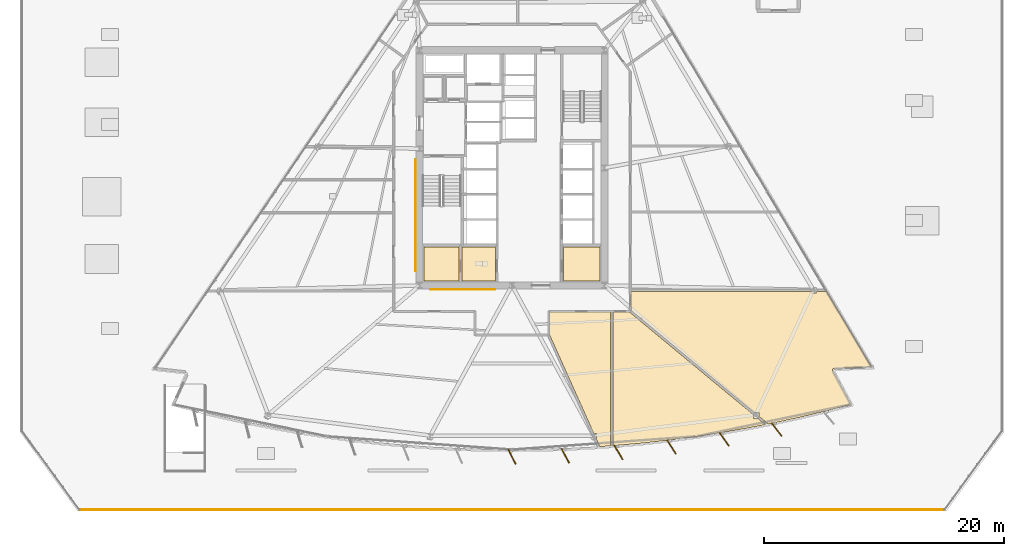
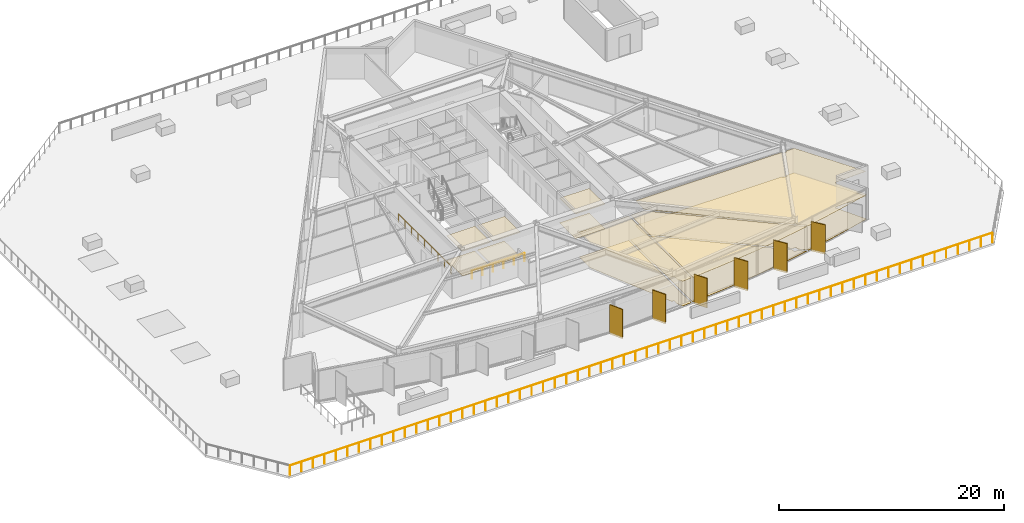
# One storey, part 14 of 19: 12 coverings, 6 shading devices, 3 railings.
"""IFC4 building model written with IfcOpenShell, lengths in metres."""

from ifc_helpers import new_model, si_unit, direction, frame, origin, origin_2d, place, context, subcontext, project, spatial, polyline, rectangle, circle, outline, extrude, material, layer, layer_set, type_object, element, save


model = new_model("IFC4")

# Units and contexts
model_context = context("Model", 3, precision=1e-05, world=origin(), true_north=direction((0.0, 1.0)))
body_context = subcontext(model_context, "Body", "Model", "MODEL_VIEW")
ifc_project = project(units=[si_unit("LENGTHUNIT", "METRE"), si_unit("AREAUNIT", "SQUARE_METRE"), si_unit("VOLUMEUNIT", "CUBIC_METRE"), si_unit("PLANEANGLEUNIT", "RADIAN"), si_unit("MASSUNIT", "GRAM", prefix="KILO")], contexts=[model_context])

# Site, building, storey
site_placement = place(None, origin())
site = spatial("IfcSite", under=ifc_project, at=site_placement, CompositionType="ELEMENT")
building_placement = place(site_placement, origin())
building = spatial("IfcBuilding", under=site, at=building_placement, Name="Savorim Split Tower", CompositionType="ELEMENT")
storey_placement = place(building_placement, frame((0.0, 0.0, 26.39990234375)))
storey = spatial("IfcBuildingStorey", under=building, at=storey_placement, Name="L06", CompositionType="ELEMENT", Elevation=26.39990234375)

# Coverings
ifc_material_1 = material(Name="Mineral Fibre Acoustic Ceiling")
ifc_layer_1 = layer(ifc_material_1, 0.02490234375)
ifc_layer_set_1 = layer_set([ifc_layer_1], Name="COV-CEIL-25")
covering_type_1 = type_object("IfcCoveringType", Name="COV-CEIL-25", PredefinedType="CEILING", material=ifc_layer_set_1)
covering_1_placement = place(storey_placement, frame((0.0, 0.0, 2.670166015625)))
element("IfcCovering", 1, at=covering_1_placement, inside=storey, type_object=covering_type_1, Name="L06 Housekeeping Store Acoustic Ceiling", PredefinedType="CEILING", context=body_context, shape_type="SweptSolid", body=[
    extrude(outline(polyline([(-7.320068359375, -6.179931640625), (-7.320068359375, -9.02001953125), (-4.429931640625, -9.02001953125), (-4.429931640625, -6.179931640625), (-7.320068359375, -6.179931640625)])), origin(), (0.0, 0.0, 1.0), 0.02490234375),
])
covering_2_placement = place(storey_placement, frame((0.0, 0.0, 2.670166015625)))
element("IfcCovering", 2, at=covering_2_placement, inside=storey, type_object=covering_type_1, Name="L06 Accessible WC Acoustic Ceiling", PredefinedType="CEILING", context=body_context, shape_type="SweptSolid", body=[
    extrude(outline(polyline([(-4.169921875, -6.179931640625), (-4.169921875, -9.02001953125), (-1.3798828125, -9.02001953125), (-1.3798828125, -6.179931640625), (-4.169921875, -6.179931640625)])), origin(), (0.0, 0.0, 1.0), 0.02490234375),
])
covering_3_placement = place(storey_placement, frame((0.0, 0.0, 2.670166015625)))
element("IfcCovering", 3, at=covering_3_placement, inside=storey, type_object=covering_type_1, Name="L06 Core IT Server Room Acoustic Ceiling", PredefinedType="CEILING", context=body_context, shape_type="SweptSolid", body=[
    extrude(outline(polyline([(4.280029296875, -6.179931640625), (4.280029296875, -9.02001953125), (7.320068359375, -9.02001953125), (7.320068359375, -6.179931640625), (4.280029296875, -6.179931640625)])), origin(), (0.0, 0.0, 1.0), 0.02490234375),
])
covering_4_placement = place(storey_placement, frame((0.0, 0.0, 2.670166015625)))
element("IfcCovering", 4, at=covering_4_placement, inside=storey, type_object=covering_type_1, Name="L06 Quiet Study Room Acoustic Ceiling", PredefinedType="CEILING", context=body_context, shape_type="SweptSolid", body=[
    extrude(outline(polyline([(7.0283203125, -22.201416015625), (7.273193359375, -22.7470703125), (7.30908203125, -22.827392578125), (8.21875, -22.761962890625), (8.21875, -11.6201171875), (3.139892578125, -11.6201171875), (3.139892578125, -13.449951171875), (3.139404296875, -13.463623046875), (3.13720703125, -13.477294921875), (3.134033203125, -13.490478515625), (3.12939453125, -13.503662109375), (3.12646484375, -13.509765625), (6.819091796875, -21.735595703125), (7.037353515625, -21.735595703125), (7.037353515625, -22.201416015625), (7.0283203125, -22.201416015625)])), origin(), (0.0, 0.0, 1.0), 0.02490234375),
])
covering_5_placement = place(storey_placement, frame((0.0, 0.0, 2.670166015625)))
element("IfcCovering", 5, at=covering_5_placement, inside=storey, type_object=covering_type_1, Name="L06 Co-Working Commons Acoustic Ceiling", PredefinedType="CEILING", context=body_context, shape_type="SweptSolid", body=[
    extrude(outline(polyline([(13.215576171875, -22.267578125), (15.404296875, -21.974853515625), (17.586181640625, -21.63720703125), (19.760986328125, -21.255126953125), (21.112548828125, -20.989013671875), (20.4794921875, -20.464599609375), (20.12890625, -20.464599609375), (20.12890625, -20.174560546875), (9.827392578125, -11.641845703125), (9.79931640625, -11.618408203125), (9.793701171875, -11.619384765625), (9.780029296875, -11.6201171875), (8.40869140625, -11.6201171875), (8.40869140625, -22.748291015625), (8.82275390625, -22.71875), (11.021484375, -22.515625), (13.215576171875, -22.267578125)])), origin(), (0.0, 0.0, 1.0), 0.02490234375),
])
covering_6_placement = place(storey_placement, frame((0.0, 0.0, 2.670166015625)))
element("IfcCovering", 6, at=covering_6_placement, inside=storey, type_object=covering_type_1, Name="L06 Maker Workshop Acoustic Ceiling", PredefinedType="CEILING", context=body_context, shape_type="SweptSolid", body=[
    extrude(outline(polyline([(26.7880859375, -16.331298828125), (26.79931640625, -16.3291015625), (26.810791015625, -16.328125), (29.954345703125, -16.1943359375), (26.19287109375, -9.86865234375), (26.19287109375, -9.901611328125), (25.384765625, -9.901611328125), (25.384765625, -10.039794921875), (24.94873046875, -10.039794921875), (24.94873046875, -9.901611328125), (9.919921875, -9.901611328125), (9.919921875, -11.4716796875), (20.214599609375, -19.998779296875), (20.56494140625, -19.998779296875), (20.56494140625, -20.288818359375), (21.24365234375, -20.85107421875), (21.31689453125, -20.91162109375), (21.280029296875, -20.9560546875), (21.927490234375, -20.82861328125), (24.0849609375, -20.357666015625), (26.232177734375, -19.843017578125), (28.22216796875, -19.322509765625), (26.710205078125, -16.504638671875), (26.705322265625, -16.494384765625), (26.701416015625, -16.4833984375), (26.698486328125, -16.472412109375), (26.69677734375, -16.4609375), (26.696044921875, -16.449462890625), (26.6962890625, -16.437744140625), (26.697998046875, -16.426513671875), (26.70068359375, -16.4150390625), (26.704345703125, -16.404296875), (26.708984375, -16.393798828125), (26.714599609375, -16.383544921875), (26.721435546875, -16.374267578125), (26.72900390625, -16.365478515625), (26.7373046875, -16.357421875), (26.746337890625, -16.350341796875), (26.756103515625, -16.343994140625), (26.766357421875, -16.3388671875), (26.777099609375, -16.33447265625), (26.7880859375, -16.331298828125)])), origin(), (0.0, 0.0, 1.0), 0.02490234375),
])
ifc_material_2 = material(Name="Porcelain Stoneware Flooring", Category="masonry")
ifc_layer_2 = layer(ifc_material_2, 0.02001953125)
ifc_layer_set_2 = layer_set([ifc_layer_2], Name="COV-FLOR-20")
covering_type_2 = type_object("IfcCoveringType", Name="COV-FLOR-20", PredefinedType="FLOORING", material=ifc_layer_set_2)
covering_7_placement = place(storey_placement, origin())
element("IfcCovering", 7, at=covering_7_placement, inside=storey, type_object=covering_type_2, Name="L06 Housekeeping Store Porcelain Flooring", PredefinedType="FLOORING", context=body_context, shape_type="SweptSolid", body=[
    extrude(outline(polyline([(-7.320068359375, -6.179931640625), (-7.320068359375, -9.02001953125), (-4.429931640625, -9.02001953125), (-4.429931640625, -6.179931640625), (-7.320068359375, -6.179931640625)])), origin(), (0.0, 0.0, 1.0), 0.02001953125),
])
covering_8_placement = place(storey_placement, origin())
element("IfcCovering", 8, at=covering_8_placement, inside=storey, type_object=covering_type_2, Name="L06 Accessible WC Porcelain Flooring", PredefinedType="FLOORING", context=body_context, shape_type="SweptSolid", body=[
    extrude(outline(polyline([(-4.169921875, -6.179931640625), (-4.169921875, -9.02001953125), (-1.3798828125, -9.02001953125), (-1.3798828125, -6.179931640625), (-4.169921875, -6.179931640625)])), origin(), (0.0, 0.0, 1.0), 0.02001953125),
])
covering_9_placement = place(storey_placement, origin())
element("IfcCovering", 9, at=covering_9_placement, inside=storey, type_object=covering_type_2, Name="L06 Core IT Server Room Porcelain Flooring", PredefinedType="FLOORING", context=body_context, shape_type="SweptSolid", body=[
    extrude(outline(polyline([(4.280029296875, -6.179931640625), (4.280029296875, -9.02001953125), (7.320068359375, -9.02001953125), (7.320068359375, -6.179931640625), (4.280029296875, -6.179931640625)])), origin(), (0.0, 0.0, 1.0), 0.02001953125),
])
covering_10_placement = place(storey_placement, origin())
element("IfcCovering", 10, at=covering_10_placement, inside=storey, type_object=covering_type_2, Name="L06 Quiet Study Room Porcelain Flooring", PredefinedType="FLOORING", context=body_context, shape_type="SweptSolid", body=[
    extrude(outline(polyline([(7.0283203125, -22.201416015625), (7.273193359375, -22.7470703125), (7.30908203125, -22.827392578125), (8.21875, -22.761962890625), (8.21875, -11.6201171875), (3.139892578125, -11.6201171875), (3.139892578125, -13.449951171875), (3.139404296875, -13.463623046875), (3.13720703125, -13.477294921875), (3.134033203125, -13.490478515625), (3.12939453125, -13.503662109375), (3.12646484375, -13.509765625), (6.819091796875, -21.735595703125), (7.037353515625, -21.735595703125), (7.037353515625, -22.201416015625), (7.0283203125, -22.201416015625)])), origin(), (0.0, 0.0, 1.0), 0.02001953125),
])
covering_11_placement = place(storey_placement, origin())
element("IfcCovering", 11, at=covering_11_placement, inside=storey, type_object=covering_type_2, Name="L06 Co-Working Commons Porcelain Flooring", PredefinedType="FLOORING", context=body_context, shape_type="SweptSolid", body=[
    extrude(outline(polyline([(13.215576171875, -22.267578125), (15.404296875, -21.974853515625), (17.586181640625, -21.63720703125), (19.760986328125, -21.255126953125), (21.112548828125, -20.989013671875), (20.4794921875, -20.464599609375), (20.12890625, -20.464599609375), (20.12890625, -20.174560546875), (9.827392578125, -11.641845703125), (9.79931640625, -11.618408203125), (9.793701171875, -11.619384765625), (9.780029296875, -11.6201171875), (8.40869140625, -11.6201171875), (8.40869140625, -22.748291015625), (8.82275390625, -22.71875), (11.021484375, -22.515625), (13.215576171875, -22.267578125)])), origin(), (0.0, 0.0, 1.0), 0.02001953125),
])
covering_12_placement = place(storey_placement, origin())
element("IfcCovering", 12, at=covering_12_placement, inside=storey, type_object=covering_type_2, Name="L06 Maker Workshop Porcelain Flooring", PredefinedType="FLOORING", context=body_context, shape_type="SweptSolid", body=[
    extrude(outline(polyline([(26.7880859375, -16.331298828125), (26.79931640625, -16.3291015625), (26.810791015625, -16.328125), (29.954345703125, -16.1943359375), (26.19287109375, -9.86865234375), (26.19287109375, -9.901611328125), (25.384765625, -9.901611328125), (25.384765625, -10.039794921875), (24.94873046875, -10.039794921875), (24.94873046875, -9.901611328125), (9.919921875, -9.901611328125), (9.919921875, -11.4716796875), (20.214599609375, -19.998779296875), (20.56494140625, -19.998779296875), (20.56494140625, -20.288818359375), (21.24365234375, -20.85107421875), (21.31689453125, -20.91162109375), (21.280029296875, -20.9560546875), (21.927490234375, -20.82861328125), (24.0849609375, -20.357666015625), (26.232177734375, -19.843017578125), (28.22216796875, -19.322509765625), (26.710205078125, -16.504638671875), (26.705322265625, -16.494384765625), (26.701416015625, -16.4833984375), (26.698486328125, -16.472412109375), (26.69677734375, -16.4609375), (26.696044921875, -16.449462890625), (26.6962890625, -16.437744140625), (26.697998046875, -16.426513671875), (26.70068359375, -16.4150390625), (26.704345703125, -16.404296875), (26.708984375, -16.393798828125), (26.714599609375, -16.383544921875), (26.721435546875, -16.374267578125), (26.72900390625, -16.365478515625), (26.7373046875, -16.357421875), (26.746337890625, -16.350341796875), (26.756103515625, -16.343994140625), (26.766357421875, -16.3388671875), (26.777099609375, -16.33447265625), (26.7880859375, -16.331298828125)])), origin(), (0.0, 0.0, 1.0), 0.02001953125),
])

# Railings
ifc_material_3 = material(Name="Galvanised Painted Steel Balustrade", Category="steel")
railing_type_1 = type_object("IfcRailingType", Name="RLG-BAL-1100", PredefinedType="BALUSTRADE", material=ifc_material_3)
railing_1_placement = place(storey_placement, frame((-36.05517578125, -28.087158203125, 0.0)))
element("IfcRailing", 13, at=railing_1_placement, inside=storey, type_object=railing_type_1, Name="L06 Raised Public Garden Perimeter Balustrade 1", PredefinedType="BALUSTRADE", context=body_context, shape_type="SweptSolid", body=[
    extrude(circle(Radius=0.02392578125, at=origin_2d()), frame((0.0, 0.0, 1.076171875), z_axis=(1.0, 0.0, 0.0), x_axis=(0.0, 1.0, 0.0)), (0.0, 0.0, 1.0), 72.1103515625),
    extrude(circle(Radius=0.02099609375, at=origin_2d()), origin(), (0.0, 0.0, 1.0), 1.052001953125),
    extrude(circle(Radius=0.02099609375, at=origin_2d()), frame((1.18212890625, 0.0, 0.0)), (0.0, 0.0, 1.0), 1.052001953125),
    extrude(circle(Radius=0.02099609375, at=origin_2d()), frame((2.3642578125, 0.0, 0.0)), (0.0, 0.0, 1.0), 1.052001953125),
    extrude(circle(Radius=0.02099609375, at=origin_2d()), frame((3.54638671875, 0.0, 0.0)), (0.0, 0.0, 1.0), 1.052001953125),
    extrude(circle(Radius=0.02099609375, at=origin_2d()), frame((4.728515625, 0.0, 0.0)), (0.0, 0.0, 1.0), 1.052001953125),
    extrude(circle(Radius=0.02099609375, at=origin_2d()), frame((5.91064453125, 0.0, 0.0)), (0.0, 0.0, 1.0), 1.052001953125),
    extrude(circle(Radius=0.02099609375, at=origin_2d()), frame((7.0927734375, 0.0, 0.0)), (0.0, 0.0, 1.0), 1.052001953125),
    extrude(circle(Radius=0.02099609375, at=origin_2d()), frame((8.27490234375, 0.0, 0.0)), (0.0, 0.0, 1.0), 1.052001953125),
    extrude(circle(Radius=0.02099609375, at=origin_2d()), frame((9.45703125, 0.0, 0.0)), (0.0, 0.0, 1.0), 1.052001953125),
    extrude(circle(Radius=0.02099609375, at=origin_2d()), frame((10.63916015625, 0.0, 0.0)), (0.0, 0.0, 1.0), 1.052001953125),
    extrude(circle(Radius=0.02099609375, at=origin_2d()), frame((11.8212890625, 0.0, 0.0)), (0.0, 0.0, 1.0), 1.052001953125),
    extrude(circle(Radius=0.02099609375, at=origin_2d()), frame((13.00341796875, 0.0, 0.0)), (0.0, 0.0, 1.0), 1.052001953125),
    extrude(circle(Radius=0.02099609375, at=origin_2d()), frame((14.185546875, 0.0, 0.0)), (0.0, 0.0, 1.0), 1.052001953125),
    extrude(circle(Radius=0.02099609375, at=origin_2d()), frame((15.36767578125, 0.0, 0.0)), (0.0, 0.0, 1.0), 1.052001953125),
    extrude(circle(Radius=0.02099609375, at=origin_2d()), frame((16.5498046875, 0.0, 0.0)), (0.0, 0.0, 1.0), 1.052001953125),
    extrude(circle(Radius=0.02099609375, at=origin_2d()), frame((17.73193359375, 0.0, 0.0)), (0.0, 0.0, 1.0), 1.052001953125),
    extrude(circle(Radius=0.02099609375, at=origin_2d()), frame((18.914306640625, 0.0, 0.0)), (0.0, 0.0, 1.0), 1.052001953125),
    extrude(circle(Radius=0.02099609375, at=origin_2d()), frame((20.096435546875, 0.0, 0.0)), (0.0, 0.0, 1.0), 1.052001953125),
    extrude(circle(Radius=0.02099609375, at=origin_2d()), frame((21.278564453125, 0.0, 0.0)), (0.0, 0.0, 1.0), 1.052001953125),
    extrude(circle(Radius=0.02099609375, at=origin_2d()), frame((22.460693359375, 0.0, 0.0)), (0.0, 0.0, 1.0), 1.052001953125),
    extrude(circle(Radius=0.02099609375, at=origin_2d()), frame((23.642822265625, 0.0, 0.0)), (0.0, 0.0, 1.0), 1.052001953125),
    extrude(circle(Radius=0.02099609375, at=origin_2d()), frame((24.824951171875, 0.0, 0.0)), (0.0, 0.0, 1.0), 1.052001953125),
    extrude(circle(Radius=0.02099609375, at=origin_2d()), frame((26.007080078125, 0.0, 0.0)), (0.0, 0.0, 1.0), 1.052001953125),
    extrude(circle(Radius=0.02099609375, at=origin_2d()), frame((27.189208984375, 0.0, 0.0)), (0.0, 0.0, 1.0), 1.052001953125),
    extrude(circle(Radius=0.02099609375, at=origin_2d()), frame((28.371337890625, 0.0, 0.0)), (0.0, 0.0, 1.0), 1.052001953125),
    extrude(circle(Radius=0.02099609375, at=origin_2d()), frame((29.553466796875, 0.0, 0.0)), (0.0, 0.0, 1.0), 1.052001953125),
    extrude(circle(Radius=0.02099609375, at=origin_2d()), frame((30.735595703125, 0.0, 0.0)), (0.0, 0.0, 1.0), 1.052001953125),
    extrude(circle(Radius=0.02099609375, at=origin_2d()), frame((31.917724609375, 0.0, 0.0)), (0.0, 0.0, 1.0), 1.052001953125),
    extrude(circle(Radius=0.02099609375, at=origin_2d()), frame((33.099853515625, 0.0, 0.0)), (0.0, 0.0, 1.0), 1.052001953125),
    extrude(circle(Radius=0.02099609375, at=origin_2d()), frame((34.281982421875, 0.0, 0.0)), (0.0, 0.0, 1.0), 1.052001953125),
    extrude(circle(Radius=0.02099609375, at=origin_2d()), frame((35.464111328125, 0.0, 0.0)), (0.0, 0.0, 1.0), 1.052001953125),
    extrude(circle(Radius=0.02099609375, at=origin_2d()), frame((36.646240234375, 0.0, 0.0)), (0.0, 0.0, 1.0), 1.052001953125),
    extrude(circle(Radius=0.02099609375, at=origin_2d()), frame((37.828369140625, 0.0, 0.0)), (0.0, 0.0, 1.0), 1.052001953125),
    extrude(circle(Radius=0.02099609375, at=origin_2d()), frame((39.010498046875, 0.0, 0.0)), (0.0, 0.0, 1.0), 1.052001953125),
    extrude(circle(Radius=0.02099609375, at=origin_2d()), frame((40.192626953125, 0.0, 0.0)), (0.0, 0.0, 1.0), 1.052001953125),
    extrude(circle(Radius=0.02099609375, at=origin_2d()), frame((41.374755859375, 0.0, 0.0)), (0.0, 0.0, 1.0), 1.052001953125),
    extrude(circle(Radius=0.02099609375, at=origin_2d()), frame((42.556884765625, 0.0, 0.0)), (0.0, 0.0, 1.0), 1.052001953125),
    extrude(circle(Radius=0.02099609375, at=origin_2d()), frame((43.739013671875, 0.0, 0.0)), (0.0, 0.0, 1.0), 1.052001953125),
    extrude(circle(Radius=0.02099609375, at=origin_2d()), frame((44.921142578125, 0.0, 0.0)), (0.0, 0.0, 1.0), 1.052001953125),
    extrude(circle(Radius=0.02099609375, at=origin_2d()), frame((46.103271484375, 0.0, 0.0)), (0.0, 0.0, 1.0), 1.052001953125),
    extrude(circle(Radius=0.02099609375, at=origin_2d()), frame((47.285400390625, 0.0, 0.0)), (0.0, 0.0, 1.0), 1.052001953125),
    extrude(circle(Radius=0.02099609375, at=origin_2d()), frame((48.467529296875, 0.0, 0.0)), (0.0, 0.0, 1.0), 1.052001953125),
    extrude(circle(Radius=0.02099609375, at=origin_2d()), frame((49.649658203125, 0.0, 0.0)), (0.0, 0.0, 1.0), 1.052001953125),
    extrude(circle(Radius=0.02099609375, at=origin_2d()), frame((50.831787109375, 0.0, 0.0)), (0.0, 0.0, 1.0), 1.052001953125),
    extrude(circle(Radius=0.02099609375, at=origin_2d()), frame((52.013916015625, 0.0, 0.0)), (0.0, 0.0, 1.0), 1.052001953125),
    extrude(circle(Radius=0.02099609375, at=origin_2d()), frame((53.196044921875, 0.0, 0.0)), (0.0, 0.0, 1.0), 1.052001953125),
    extrude(circle(Radius=0.02099609375, at=origin_2d()), frame((54.37841796875, 0.0, 0.0)), (0.0, 0.0, 1.0), 1.052001953125),
    extrude(circle(Radius=0.02099609375, at=origin_2d()), frame((55.560546875, 0.0, 0.0)), (0.0, 0.0, 1.0), 1.052001953125),
    extrude(circle(Radius=0.02099609375, at=origin_2d()), frame((56.74267578125, 0.0, 0.0)), (0.0, 0.0, 1.0), 1.052001953125),
    extrude(circle(Radius=0.02099609375, at=origin_2d()), frame((57.9248046875, 0.0, 0.0)), (0.0, 0.0, 1.0), 1.052001953125),
    extrude(circle(Radius=0.02099609375, at=origin_2d()), frame((59.10693359375, 0.0, 0.0)), (0.0, 0.0, 1.0), 1.052001953125),
    extrude(circle(Radius=0.02099609375, at=origin_2d()), frame((60.2890625, 0.0, 0.0)), (0.0, 0.0, 1.0), 1.052001953125),
    extrude(circle(Radius=0.02099609375, at=origin_2d()), frame((61.47119140625, 0.0, 0.0)), (0.0, 0.0, 1.0), 1.052001953125),
    extrude(circle(Radius=0.02099609375, at=origin_2d()), frame((62.6533203125, 0.0, 0.0)), (0.0, 0.0, 1.0), 1.052001953125),
    extrude(circle(Radius=0.02099609375, at=origin_2d()), frame((63.83544921875, 0.0, 0.0)), (0.0, 0.0, 1.0), 1.052001953125),
    extrude(circle(Radius=0.02099609375, at=origin_2d()), frame((65.017578125, 0.0, 0.0)), (0.0, 0.0, 1.0), 1.052001953125),
    extrude(circle(Radius=0.02099609375, at=origin_2d()), frame((66.19970703125, 0.0, 0.0)), (0.0, 0.0, 1.0), 1.052001953125),
    extrude(circle(Radius=0.02099609375, at=origin_2d()), frame((67.3818359375, 0.0, 0.0)), (0.0, 0.0, 1.0), 1.052001953125),
    extrude(circle(Radius=0.02099609375, at=origin_2d()), frame((68.56396484375, 0.0, 0.0)), (0.0, 0.0, 1.0), 1.052001953125),
    extrude(circle(Radius=0.02099609375, at=origin_2d()), frame((69.74609375, 0.0, 0.0)), (0.0, 0.0, 1.0), 1.052001953125),
    extrude(circle(Radius=0.02099609375, at=origin_2d()), frame((70.92822265625, 0.0, 0.0)), (0.0, 0.0, 1.0), 1.052001953125),
    extrude(circle(Radius=0.02099609375, at=origin_2d()), frame((72.1103515625, 0.0, 0.0)), (0.0, 0.0, 1.0), 1.052001953125),
])
railing_type_2 = type_object("IfcRailingType", Name="RLG-HR-900", PredefinedType="HANDRAIL", material=ifc_material_3)
railing_2_placement = place(storey_placement, frame((-6.800048828125, -9.75, 0.0)))
element("IfcRailing", 14, at=railing_2_placement, inside=storey, type_object=railing_type_2, Name="L06 Corridor South Accessible Handrail", PredefinedType="HANDRAIL", context=body_context, shape_type="SweptSolid", body=[
    extrude(circle(Radius=0.02392578125, at=origin_2d()), frame((0.0, 0.0, 0.8759765625), z_axis=(1.0, 0.0, 0.0), x_axis=(0.0, 1.0, 0.0)), (0.0, 0.0, 1.0), 5.400146484375),
    extrude(circle(Radius=0.02099609375, at=origin_2d()), origin(), (0.0, 0.0, 1.0), 0.851806640625),
    extrude(circle(Radius=0.02099609375, at=origin_2d()), frame((1.080078125, 0.0, 0.0)), (0.0, 0.0, 1.0), 0.851806640625),
    extrude(circle(Radius=0.02099609375, at=origin_2d()), frame((2.16015625, 0.0, 0.0)), (0.0, 0.0, 1.0), 0.851806640625),
    extrude(circle(Radius=0.02099609375, at=origin_2d()), frame((3.239990234375, 0.0, 0.0)), (0.0, 0.0, 1.0), 0.851806640625),
    extrude(circle(Radius=0.02099609375, at=origin_2d()), frame((4.320068359375, 0.0, 0.0)), (0.0, 0.0, 1.0), 0.851806640625),
    extrude(circle(Radius=0.02099609375, at=origin_2d()), frame((5.400146484375, 0.0, 0.0)), (0.0, 0.0, 1.0), 0.851806640625),
])
railing_3_placement = place(storey_placement, frame((-8.050048828125, -8.199951171875, 0.0)))
element("IfcRailing", 15, at=railing_3_placement, inside=storey, type_object=railing_type_2, Name="L06 Corridor West Accessible Handrail", PredefinedType="HANDRAIL", context=body_context, shape_type="SweptSolid", body=[
    extrude(circle(Radius=0.02392578125, at=origin_2d()), frame((0.0, 0.0, 0.8759765625), z_axis=(0.0, 1.0, 0.0), x_axis=(-1.0, 0.0, 0.0)), (0.0, 0.0, 1.0), 9.300048828125),
    extrude(circle(Radius=0.02099609375, at=origin_2d()), origin(), (0.0, 0.0, 1.0), 0.851806640625),
    extrude(circle(Radius=0.02099609375, at=origin_2d()), frame((0.0, 1.16259765625, 0.0)), (0.0, 0.0, 1.0), 0.851806640625),
    extrude(circle(Radius=0.02099609375, at=origin_2d()), frame((0.0, 2.324951171875, 0.0)), (0.0, 0.0, 1.0), 0.851806640625),
    extrude(circle(Radius=0.02099609375, at=origin_2d()), frame((0.0, 3.487548828125, 0.0)), (0.0, 0.0, 1.0), 0.851806640625),
    extrude(circle(Radius=0.02099609375, at=origin_2d()), frame((0.0, 4.64990234375, 0.0)), (0.0, 0.0, 1.0), 0.851806640625),
    extrude(circle(Radius=0.02099609375, at=origin_2d()), frame((0.0, 5.8125, 0.0)), (0.0, 0.0, 1.0), 0.851806640625),
    extrude(circle(Radius=0.02099609375, at=origin_2d()), frame((0.0, 6.97509765625, 0.0)), (0.0, 0.0, 1.0), 0.851806640625),
    extrude(circle(Radius=0.02099609375, at=origin_2d()), frame((0.0, 8.137451171875, 0.0)), (0.0, 0.0, 1.0), 0.851806640625),
    extrude(circle(Radius=0.02099609375, at=origin_2d()), frame((0.0, 9.300048828125, 0.0)), (0.0, 0.0, 1.0), 0.851806640625),
])

# Shading devices
ifc_material_4 = material(Name="Terracotta Ceramic-Coated Aluminium Fin", Category="masonry")
shading_device_type = type_object("IfcShadingDeviceType", Name="SHD-FIN-1360", PredefinedType="USERDEFINED", material=ifc_material_4)
for number, where, z_axis, x_axis, name in (
    (16, (0.0, -23.676025390625, -0.19970703125), (0.0, 0.0, 1.0), (0.438371146789, -0.898794046299, 0.0), "L06 Sawtooth Shading Fin 07"),
    (17, (4.439453125, -23.585205078125, -0.19970703125), (0.0, 0.0, 1.0), (0.474778051978, -0.880105562623, 0.0), "L06 Sawtooth Shading Fin 08"),
    (18, (8.871337890625, -23.312744140625, -0.19970703125), (0.0, 0.0, 1.0), (0.510391336723, -0.859942255851, 0.0), "L06 Sawtooth Shading Fin 09"),
    (19, (13.28857421875, -22.859130859375, -0.19970703125), (0.0, 0.0, 1.0), (0.545148321708, -0.838339613366, 0.0), "L06 Sawtooth Shading Fin 10"),
    (20, (17.68359375, -22.225341796875, -0.19970703125), (0.0, 0.0, 1.0), (0.578993757737, -0.815331974414, 0.0), "L06 Sawtooth Shading Fin 11"),
    (21, (22.048583984375, -21.412109375, -0.19970703125), (0.0, 0.0, 1.0), (0.611868076908, -0.790959832394, 0.0), "L06 Sawtooth Shading Fin 12"),
):
    element("IfcShadingDevice", number, at=place(storey_placement, frame(where, z_axis=z_axis, x_axis=x_axis)), inside=storey, type_object=shading_device_type, Name=name, ObjectType="FIN", PredefinedType="USERDEFINED", context=body_context, shape_type="SweptSolid", body=[
        extrude(rectangle(XDim=1.360107421875, YDim=0.080078125, at=origin_2d()), origin(), (0.0, 0.0, 1.0), 3.199951171875),
    ])

save(model, "model.ifc")
